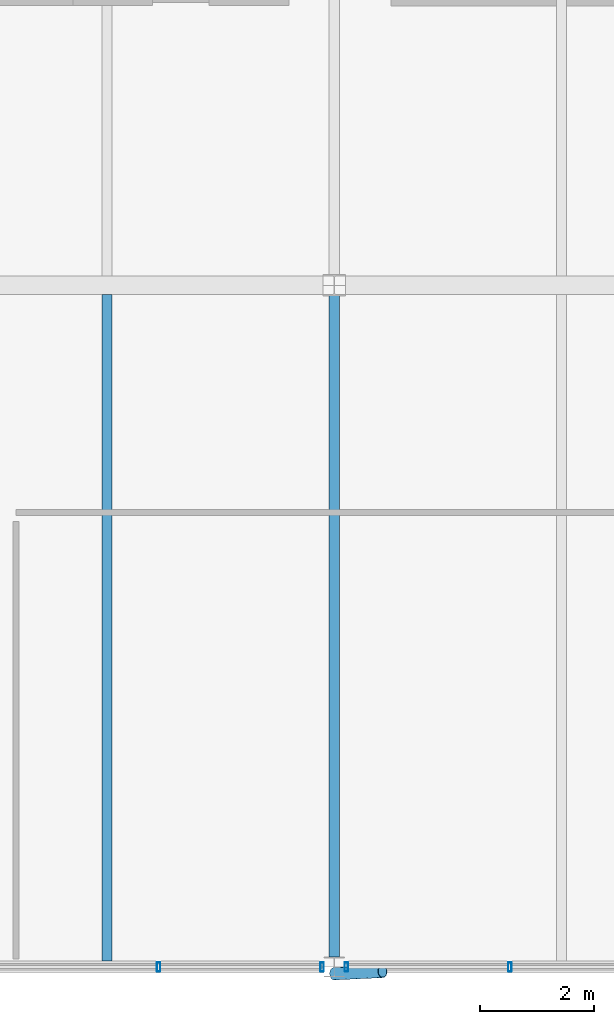
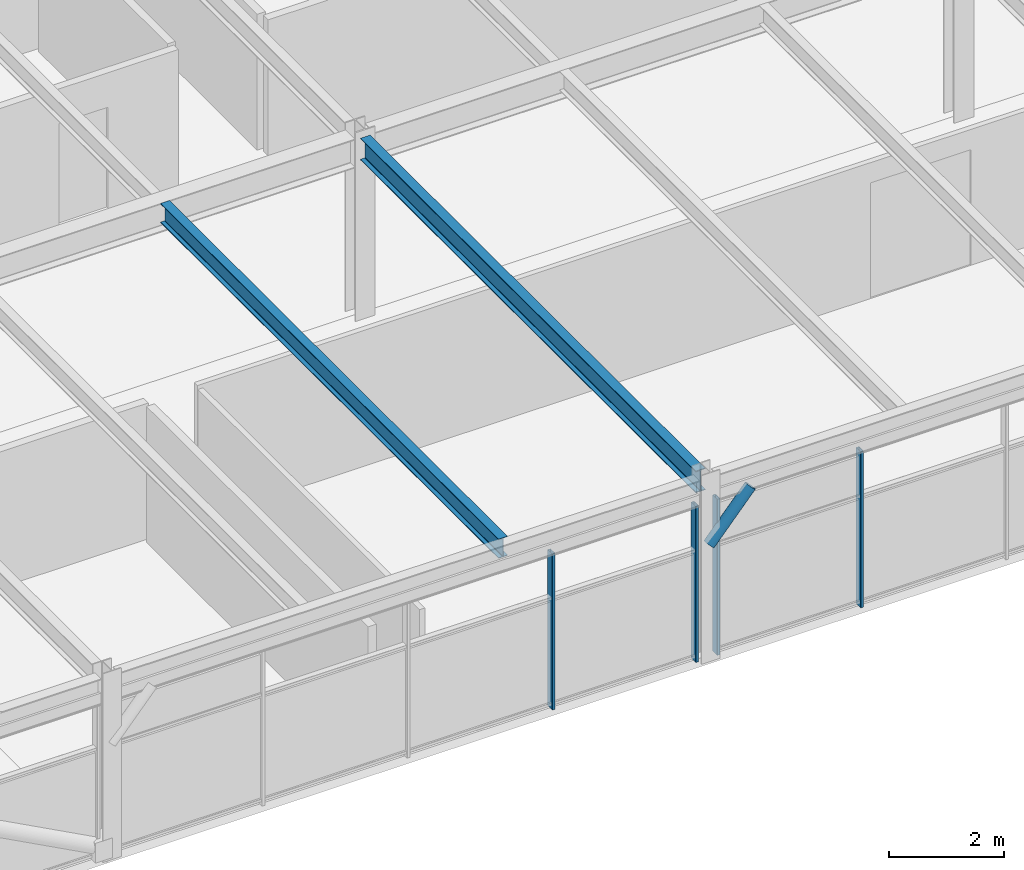
# One storey, part 13 of 40: 5 members, 2 beams, 2 elements without a shape of their own.
"""IFC4 building model written with IfcOpenShell, lengths in metres."""

from ifc_helpers import new_model, si_unit, direction, frame, origin, origin_2d, place, context, subcontext, project, spatial, hollow_rectangle, hollow_circle, i_section, extrude, material, material_profile, profile_set, type_object, element, aggregate, save


model = new_model("IFC4")

# Units and contexts
model_context = context("Model", 3, precision=1e-05, world=origin(), true_north=direction((0.0, 1.0)))
body_context = subcontext(model_context, "Body", "Model", "MODEL_VIEW")
ifc_project = project(units=[si_unit("LENGTHUNIT", "METRE"), si_unit("AREAUNIT", "SQUARE_METRE"), si_unit("VOLUMEUNIT", "CUBIC_METRE"), si_unit("PLANEANGLEUNIT", "RADIAN"), si_unit("MASSUNIT", "GRAM", prefix="KILO")], contexts=[model_context])

# Site, building, storey
site_placement = place(None, origin())
site = spatial("IfcSite", under=ifc_project, at=site_placement, CompositionType="ELEMENT")
building_placement = place(site_placement, origin())
building = spatial("IfcBuilding", under=site, at=building_placement, Name="Girod Span Mobility Hub", CompositionType="ELEMENT")
storey_placement = place(building_placement, frame((0.0, 0.0, 57.60009765625)))
storey = spatial("IfcBuildingStorey", under=building, at=storey_placement, Name="L14", CompositionType="ELEMENT", Elevation=57.60009765625)

# Beams
ifc_material_1 = material(Name="Steel A992 Grade 50", Category="steel")
ifc_material_profile_1 = material_profile(ifc_material_1, i_section(OverallWidth=0.178955078125, OverallDepth=0.409912109375, WebThickness=0.0087890625, FlangeThickness=0.014404296875, FilletRadius=0.012939453125, at=origin_2d()), Name="W16X45")
ifc_profile_set_1 = profile_set([ifc_material_profile_1], Name="Steel A992 Grade 50")
beam_type_1 = type_object("IfcBeamType", Name="BM-STL-W16X45", PredefinedType="BEAM", material=ifc_profile_set_1)
beam_1_placement = place(storey_placement, frame((68.0, 45.10302734375, 3.64501953125), z_axis=(0.0, 1.0, 0.0), x_axis=(-1.0, 0.0, 0.0)))
element("IfcBeam", 1, at=beam_1_placement, inside=storey, type_object=beam_type_1, Name="Composite Floorbeam 6/D-2 L14", PredefinedType="BEAM", context=body_context, shape_type="SweptSolid", body=[
    extrude(i_section(OverallWidth=0.178955078125, OverallDepth=0.409912109375, WebThickness=0.0087890625, FlangeThickness=0.014404296875, FilletRadius=0.012939453125, at=origin_2d()), origin(), (0.0, 0.0, 1.0), 11.738037109375),
])
ifc_material_2 = material(Name="Steel A992 Grade 50", Category="steel")
ifc_material_profile_2 = material_profile(ifc_material_2, i_section(OverallWidth=0.19189453125, OverallDepth=0.462890625, WebThickness=0.010498046875, FlangeThickness=0.017578125, FilletRadius=0.013916015625, at=origin_2d()), Name="W18X60")
ifc_profile_set_2 = profile_set([ifc_material_profile_2], Name="Steel A992 Grade 50")
beam_type_2 = type_object("IfcBeamType", Name="BM-STL-W18X60", PredefinedType="BEAM", material=ifc_profile_set_2)
beam_2_placement = place(storey_placement, frame((72.0, 45.175048828125, 3.618408203125), z_axis=(0.0, 1.0, 0.0), x_axis=(-1.0, 0.0, 0.0)))
element("IfcBeam", 2, at=beam_2_placement, inside=storey, type_object=beam_type_2, Name="Tie Girder 7/D-E L14", PredefinedType="BEAM", context=body_context, shape_type="SweptSolid", body=[
    extrude(i_section(OverallWidth=0.19189453125, OverallDepth=0.462890625, WebThickness=0.010498046875, FlangeThickness=0.017578125, FilletRadius=0.013916015625, at=origin_2d()), origin(), (0.0, 0.0, 1.0), 11.640380859375),
])

# Curtain wall, members
ifc_material_3 = material(Name="Thermally Broken Anodised Aluminium", Category="aluminium")
curtain_wall_type = type_object("IfcCurtainWallType", Name="CW-1164X331", PredefinedType="USERDEFINED", material=ifc_material_3)
curtain_wall_1_placement = place(storey_placement, origin())
curtain_wall_1 = element("IfcCurtainWall", 3, at=curtain_wall_1_placement, inside=storey, type_object=curtain_wall_type, Name="Unitised Curtain Wall CW-L14-S06 L14", ObjectType="UNITISED CURTAIN WALL", PredefinedType="USERDEFINED")
ifc_material_4 = material(Name="Thermally Broken Anodised Aluminium", Category="aluminium")
ifc_material_profile_3 = material_profile(ifc_material_4, hollow_rectangle(XDim=0.159912109375, YDim=0.06005859375, WallThickness=0.00341796875, InnerFilletRadius=0.00341796875, OuterFilletRadius=0.007080078125, at=origin_2d()), Name="CW-ML-60X160")
ifc_profile_set_3 = profile_set([ifc_material_profile_3], Name="Thermally Broken Anodised Aluminium")
member_type_1 = type_object("IfcMemberType", Name="CWM-ML-3", PredefinedType="MULLION", material=ifc_profile_set_3)
member_1_placement = place(storey_placement, frame((68.90869140625, 45.0, 0.0), z_axis=(0.0, 0.0, 1.0), x_axis=(0.0, 1.0, 0.0)))
member_1 = element("IfcMember", 4, at=member_1_placement, type_object=member_type_1, Name="Curtain Wall Mullion CW-L14-S06-M3", PredefinedType="MULLION", context=body_context, shape_type="SweptSolid", body=[
    extrude(hollow_rectangle(XDim=0.159912109375, YDim=0.06005859375, WallThickness=0.00341796875, InnerFilletRadius=0.00341796875, OuterFilletRadius=0.007080078125, at=origin_2d()), origin(), (0.0, 0.0, 1.0), 3.305908203125),
])
member_2_placement = place(storey_placement, frame((71.785400390625, 45.0, 0.0), z_axis=(0.0, 0.0, 1.0), x_axis=(0.0, 1.0, 0.0)))
member_2 = element("IfcMember", 5, at=member_2_placement, type_object=member_type_1, Name="Curtain Wall Mullion CW-L14-S06-M4", PredefinedType="MULLION", context=body_context, shape_type="SweptSolid", body=[
    extrude(hollow_rectangle(XDim=0.159912109375, YDim=0.06005859375, WallThickness=0.00341796875, InnerFilletRadius=0.00341796875, OuterFilletRadius=0.007080078125, at=origin_2d()), origin(), (0.0, 0.0, 1.0), 3.305908203125),
])
aggregate(curtain_wall_1, [member_1, member_2])

curtain_wall_2_placement = place(storey_placement, origin())
curtain_wall_2 = element("IfcCurtainWall", 6, at=curtain_wall_2_placement, inside=storey, type_object=curtain_wall_type, Name="Unitised Curtain Wall CW-L14-S07 L14", ObjectType="UNITISED CURTAIN WALL", PredefinedType="USERDEFINED")
member_3_placement = place(storey_placement, frame((72.214599609375, 45.0, 0.0), z_axis=(0.0, 0.0, 1.0), x_axis=(0.0, 1.0, 0.0)))
member_3 = element("IfcMember", 7, at=member_3_placement, type_object=member_type_1, Name="Curtain Wall Mullion CW-L14-S07-M0", PredefinedType="MULLION", context=body_context, shape_type="SweptSolid", body=[
    extrude(hollow_rectangle(XDim=0.159912109375, YDim=0.06005859375, WallThickness=0.00341796875, InnerFilletRadius=0.00341796875, OuterFilletRadius=0.007080078125, at=origin_2d()), origin(), (0.0, 0.0, 1.0), 3.305908203125),
])
member_4_placement = place(storey_placement, frame((75.09130859375, 45.0, 0.0), z_axis=(0.0, 0.0, 1.0), x_axis=(0.0, 1.0, 0.0)))
member_4 = element("IfcMember", 8, at=member_4_placement, type_object=member_type_1, Name="Curtain Wall Mullion CW-L14-S07-M1", PredefinedType="MULLION", context=body_context, shape_type="SweptSolid", body=[
    extrude(hollow_rectangle(XDim=0.159912109375, YDim=0.06005859375, WallThickness=0.00341796875, InnerFilletRadius=0.00341796875, OuterFilletRadius=0.007080078125, at=origin_2d()), origin(), (0.0, 0.0, 1.0), 3.305908203125),
])
aggregate(curtain_wall_2, [member_3, member_4])

# Member
ifc_material_5 = material(Name="Steel HSS A500 Grade C", Category="steel")
ifc_material_profile_4 = material_profile(ifc_material_5, hollow_circle(Radius=0.109619140625, WallThickness=0.0087890625, at=origin_2d()), Name="HSS219X9.5")
ifc_profile_set_4 = profile_set([ifc_material_profile_4], Name="Steel HSS A500 Grade C")
member_type_2 = type_object("IfcMemberType", Name="MB-ST-HSS219", PredefinedType="STRUT", material=ifc_profile_set_4)
member_5_placement = place(storey_placement, frame((72.0, 44.8798828125, 2.449951171875), z_axis=(0.678338294934, 0.031949305103, 0.734054766029), x_axis=(-0.047047213483, 0.998892666758, 0.0)))
element("IfcMember", 9, at=member_5_placement, inside=storey, type_object=member_type_2, Name="Solar Shading Knee Strut 7 L14", PredefinedType="STRUT", context=body_context, shape_type="SweptSolid", body=[
    extrude(hollow_circle(Radius=0.109619140625, WallThickness=0.0087890625, at=origin_2d()), origin(), (0.0, 0.0, 1.0), 1.253173828125),
])

save(model, "model.ifc")
